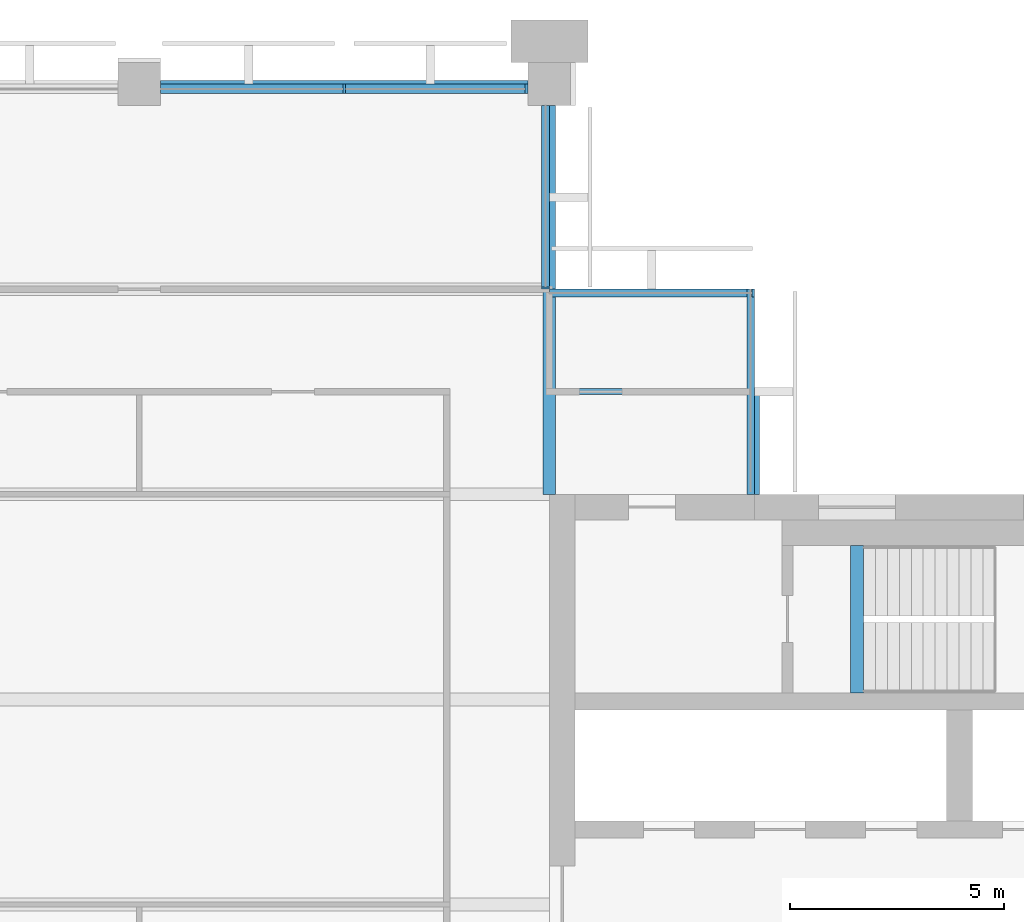
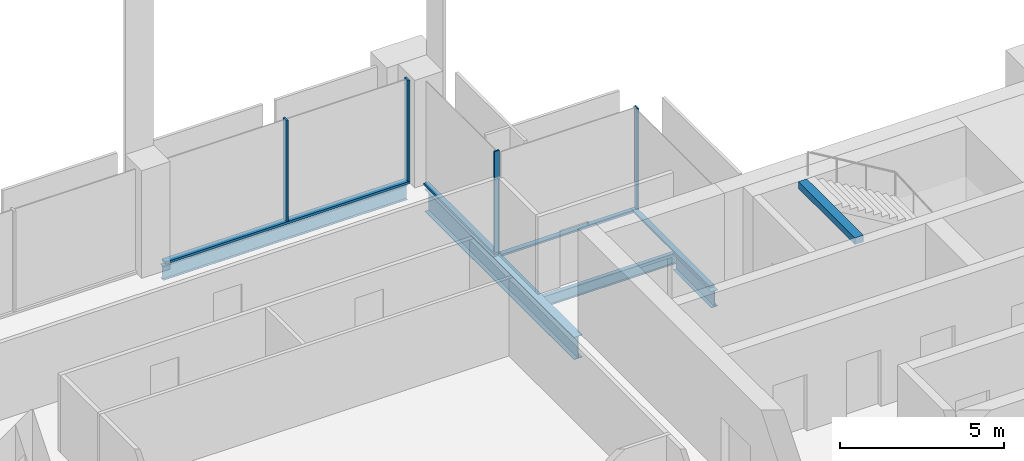
# One storey, part 6 of 13: 8 members, 5 beams, 4 elements without a shape of their own.
"""IFC4 building model written with IfcOpenShell, lengths in metres."""

from ifc_helpers import new_model, si_unit, direction, frame, origin, origin_2d, place, context, subcontext, project, spatial, rectangle, i_section, extrude, material, material_profile, profile_set, type_object, element, aggregate, save


model = new_model("IFC4")

# Units and contexts
model_context = context("Model", 3, precision=1e-05, world=origin(), true_north=direction((0.0, 1.0)))
body_context = subcontext(model_context, "Body", "Model", "MODEL_VIEW")
ifc_project = project(units=[si_unit("LENGTHUNIT", "METRE"), si_unit("AREAUNIT", "SQUARE_METRE"), si_unit("VOLUMEUNIT", "CUBIC_METRE"), si_unit("PLANEANGLEUNIT", "RADIAN"), si_unit("MASSUNIT", "GRAM", prefix="KILO")], contexts=[model_context])

# Site, building, storey
site_placement = place(None, origin())
site = spatial("IfcSite", under=ifc_project, at=site_placement, CompositionType="ELEMENT")
building_placement = place(site_placement, origin())
building = spatial("IfcBuilding", under=site, at=building_placement, Name="Baori Bourse Tower", CompositionType="ELEMENT")
storey_placement = place(building_placement, frame((0.0, 0.0, 294.300048828125)))
storey = spatial("IfcBuildingStorey", under=building, at=storey_placement, Name="L64", CompositionType="ELEMENT", Elevation=294.300048828125)

# Curtain wall, member
ifc_material_1 = material(Name="Pale anodised aluminium", Category="aluminium")
curtain_wall_type_1 = type_object("IfcCurtainWallType", Name="CW2 Curtain wall", PredefinedType="NOTDEFINED", material=ifc_material_1)
curtain_wall_1_placement = place(storey_placement, origin())
curtain_wall_1 = element("IfcCurtainWall", 1, at=curtain_wall_1_placement, inside=storey, type_object=curtain_wall_type_1, Name="Curtain wall CW2 L64 2", PredefinedType="NOTDEFINED")
ifc_material_2 = material(Name="Pale anodised aluminium", Category="aluminium")
ifc_material_profile_1 = material_profile(ifc_material_2, rectangle(XDim=0.179931640625, YDim=0.054931640625, at=origin_2d()), Name="Mullion 55x180")
ifc_profile_set_1 = profile_set([ifc_material_profile_1], Name="Pale anodised aluminium")
member_type_1 = type_object("IfcMemberType", Name="CW2 Curtain wall mullion", PredefinedType="MULLION", material=ifc_profile_set_1)
member_1_placement = place(storey_placement, frame((43.172607421875, 43.110107421875, 0.070068359375), z_axis=(0.0, 0.0, 1.0), x_axis=(0.0, -1.0, 0.0)))
member_1 = element("IfcMember", 2, at=member_1_placement, type_object=member_type_1, Name="Curtain wall CW2 mullion", PredefinedType="MULLION", context=body_context, shape_type="SweptSolid", body=[
    extrude(rectangle(XDim=0.179931640625, YDim=0.054931640625, at=origin_2d()), origin(), (0.0, 0.0, 1.0), 3.769775390625),
])

curtain_wall_2_placement = place(storey_placement, origin())
curtain_wall_2 = element("IfcCurtainWall", 3, at=curtain_wall_2_placement, inside=storey, type_object=curtain_wall_type_1, Name="Curtain wall CW2 L64 3", PredefinedType="NOTDEFINED")
member_2_placement = place(storey_placement, frame((38.31005859375, 43.2275390625, 0.070068359375), z_axis=(0.0, 0.0, 1.0), x_axis=(-1.0, 0.0, 0.0)))
member_2 = element("IfcMember", 4, at=member_2_placement, type_object=member_type_1, Name="Curtain wall CW2 mullion", PredefinedType="MULLION", context=body_context, shape_type="SweptSolid", body=[
    extrude(rectangle(XDim=0.179931640625, YDim=0.054931640625, at=origin_2d()), origin(), (0.0, 0.0, 1.0), 3.769775390625),
])

curtain_wall_3_placement = place(storey_placement, origin())
curtain_wall_3 = element("IfcCurtainWall", 5, at=curtain_wall_3_placement, inside=storey, type_object=curtain_wall_type_1, Name="Curtain wall CW2 L64 1", PredefinedType="NOTDEFINED")
ifc_material_3 = material(Name="Pale anodised aluminium", Category="aluminium")
ifc_material_profile_2 = material_profile(ifc_material_3, rectangle(XDim=0.179931640625, YDim=0.070068359375, at=origin_2d()), Name="Transom 70x180")
ifc_profile_set_2 = profile_set([ifc_material_profile_2], Name="Pale anodised aluminium")
member_type_2 = type_object("IfcMemberType", Name="CW2 Curtain wall transom", PredefinedType="USERDEFINED", material=ifc_profile_set_2)
member_3_placement = place(storey_placement, frame((43.110107421875, 38.39990234375, 0.034912109375), z_axis=(0.0, 1.0, 0.0), x_axis=(-1.0, 0.0, 0.0)))
member_3 = element("IfcMember", 6, at=member_3_placement, type_object=member_type_2, Name="Curtain wall CW2 sill rail", ObjectType="TRANSOM", PredefinedType="USERDEFINED", context=body_context, shape_type="SweptSolid", body=[
    extrude(rectangle(XDim=0.179931640625, YDim=0.070068359375, at=origin_2d()), origin(), (0.0, 0.0, 1.0), 4.800048828125),
])
aggregate(curtain_wall_3, [member_3])

# Member
member_4_placement = place(storey_placement, frame((43.199951171875, 43.110107421875, 0.034912109375), z_axis=(-1.0, 0.0, 0.0), x_axis=(0.0, -1.0, 0.0)))
member_4 = element("IfcMember", 7, at=member_4_placement, type_object=member_type_2, Name="Curtain wall CW2 sill rail", ObjectType="TRANSOM", PredefinedType="USERDEFINED", context=body_context, shape_type="SweptSolid", body=[
    extrude(rectangle(XDim=0.179931640625, YDim=0.070068359375, at=origin_2d()), origin(), (0.0, 0.0, 1.0), 4.800048828125),
])

aggregate(curtain_wall_1, [member_4, member_1])

member_5_placement = place(storey_placement, frame((38.31005859375, 43.199951171875, 0.034912109375), z_axis=(0.0, 1.0, 0.0), x_axis=(-1.0, 0.0, 0.0)))
member_5 = element("IfcMember", 8, at=member_5_placement, type_object=member_type_2, Name="Curtain wall CW2 sill rail", ObjectType="TRANSOM", PredefinedType="USERDEFINED", context=body_context, shape_type="SweptSolid", body=[
    extrude(rectangle(XDim=0.179931640625, YDim=0.070068359375, at=origin_2d()), origin(), (0.0, 0.0, 1.0), 4.300048828125),
])

aggregate(curtain_wall_2, [member_5, member_2])

# Curtain wall, members
ifc_material_4 = material(Name="Pale anodised aluminium", Category="aluminium")
curtain_wall_type_2 = type_object("IfcCurtainWallType", Name="CW5 Curtain wall", PredefinedType="NOTDEFINED", material=ifc_material_4)
curtain_wall_4_placement = place(storey_placement, origin())
curtain_wall_4 = element("IfcCurtainWall", 9, at=curtain_wall_4_placement, inside=storey, type_object=curtain_wall_type_2, Name="Curtain wall CW5 L64 4", PredefinedType="NOTDEFINED")
ifc_material_5 = material(Name="Pale anodised aluminium", Category="aluminium")
ifc_material_profile_3 = material_profile(ifc_material_5, rectangle(XDim=0.219970703125, YDim=0.06494140625, at=origin_2d()), Name="Mullion 65x220")
ifc_profile_set_3 = profile_set([ifc_material_profile_3], Name="Pale anodised aluminium")
member_type_3 = type_object("IfcMemberType", Name="CW5 Curtain wall mullion", PredefinedType="MULLION", material=ifc_profile_set_3)
member_6_placement = place(storey_placement, frame((37.867431640625, 47.889892578125, 0.0849609375), z_axis=(0.0, 0.0, 1.0), x_axis=(0.0, -1.0, 0.0)))
member_6 = element("IfcMember", 10, at=member_6_placement, type_object=member_type_3, Name="Curtain wall CW5 mullion", PredefinedType="MULLION", context=body_context, shape_type="SweptSolid", body=[
    extrude(rectangle(XDim=0.219970703125, YDim=0.06494140625, at=origin_2d()), origin(), (0.0, 0.0, 1.0), 3.7548828125),
])
member_7_placement = place(storey_placement, frame((33.60009765625, 47.889892578125, 0.0849609375), z_axis=(0.0, 0.0, 1.0), x_axis=(0.0, -1.0, 0.0)))
member_7 = element("IfcMember", 11, at=member_7_placement, type_object=member_type_3, Name="Curtain wall CW5 mullion", PredefinedType="MULLION", context=body_context, shape_type="SweptSolid", body=[
    extrude(rectangle(XDim=0.219970703125, YDim=0.06494140625, at=origin_2d()), origin(), (0.0, 0.0, 1.0), 3.7548828125),
])
ifc_material_6 = material(Name="Pale anodised aluminium", Category="aluminium")
ifc_material_profile_4 = material_profile(ifc_material_6, rectangle(XDim=0.219970703125, YDim=0.0849609375, at=origin_2d()), Name="Transom 85x220")
ifc_profile_set_4 = profile_set([ifc_material_profile_4], Name="Pale anodised aluminium")
member_type_4 = type_object("IfcMemberType", Name="CW5 Curtain wall transom", PredefinedType="USERDEFINED", material=ifc_profile_set_4)
member_8_placement = place(storey_placement, frame((37.89990234375, 47.889892578125, 0.04248046875), z_axis=(-1.0, 0.0, 0.0), x_axis=(0.0, -1.0, 0.0)))
member_8 = element("IfcMember", 12, at=member_8_placement, type_object=member_type_4, Name="Curtain wall CW5 sill rail", ObjectType="TRANSOM", PredefinedType="USERDEFINED", context=body_context, shape_type="SweptSolid", body=[
    extrude(rectangle(XDim=0.219970703125, YDim=0.0849609375, at=origin_2d()), origin(), (0.0, 0.0, 1.0), 8.599853515625),
])
aggregate(curtain_wall_4, [member_8, member_6, member_7])

# Beams
ifc_material_7 = material(Name="Steel A992 Gr 50", Category="steel")
ifc_material_profile_5 = material_profile(ifc_material_7, i_section(OverallWidth=0.227783203125, OverallDepth=0.60205078125, WebThickness=0.010498046875, FlangeThickness=0.014892578125, at=origin_2d()), Name="W24x68")
ifc_profile_set_5 = profile_set([ifc_material_profile_5], Name="Steel A992 Gr 50")
beam_type_1 = type_object("IfcBeamType", Name="Core bracket W24x68", PredefinedType="BEAM", material=ifc_profile_set_5)
beam_1_placement = place(storey_placement, frame((43.199951171875, 38.39990234375, -0.4609375), z_axis=(0.0, 1.0, 0.0), x_axis=(-1.0, 0.0, 0.0)))
element("IfcBeam", 13, at=beam_1_placement, inside=storey, type_object=beam_type_1, Name="Core bracket L64", PredefinedType="BEAM", context=body_context, shape_type="SweptSolid", body=[
    extrude(i_section(OverallWidth=0.227783203125, OverallDepth=0.60205078125, WebThickness=0.010498046875, FlangeThickness=0.014892578125, at=origin_2d()), origin(), (0.0, 0.0, 1.0), 2.329833984375),
])
ifc_material_8 = material(Name="Steel A992 Gr 50", Category="steel")
ifc_material_profile_6 = material_profile(ifc_material_8, i_section(OverallWidth=0.1650390625, OverallDepth=0.52587890625, WebThickness=0.0087890625, FlangeThickness=0.011474609375, at=origin_2d()), Name="W21x44")
ifc_profile_set_6 = profile_set([ifc_material_profile_6], Name="Steel A992 Gr 50")
beam_type_2 = type_object("IfcBeamType", Name="Edge beam W21x44", PredefinedType="BEAM", material=ifc_profile_set_6)
beam_2_placement = place(storey_placement, frame((29.300048828125, 48.0, -0.4228515625), z_axis=(1.0, 0.0, 0.0), x_axis=(0.0, 1.0, 0.0)))
element("IfcBeam", 14, at=beam_2_placement, inside=storey, type_object=beam_type_2, Name="Edge beam L64", PredefinedType="BEAM", context=body_context, shape_type="SweptSolid", body=[
    extrude(i_section(OverallWidth=0.1650390625, OverallDepth=0.52587890625, WebThickness=0.0087890625, FlangeThickness=0.011474609375, at=origin_2d()), origin(), (0.0, 0.0, 1.0), 8.599853515625),
])
ifc_material_9 = material(Name="Steel A992 Gr 50", Category="steel")
ifc_material_profile_7 = material_profile(ifc_material_9, i_section(OverallWidth=0.2919921875, OverallDepth=0.835693359375, WebThickness=0.013916015625, FlangeThickness=0.018798828125, at=origin_2d()), Name="W33x118")
ifc_profile_set_7 = profile_set([ifc_material_profile_7], Name="Steel A992 Gr 50")
beam_type_3 = type_object("IfcBeamType", Name="Girder W33x118", PredefinedType="BEAM", material=ifc_profile_set_7)
beam_3_placement = place(storey_placement, frame((38.39990234375, 38.39990234375, -0.577880859375), z_axis=(0.0, 1.0, 0.0), x_axis=(-1.0, 0.0, 0.0)))
element("IfcBeam", 15, at=beam_3_placement, inside=storey, type_object=beam_type_3, Name="Girder L64", PredefinedType="BEAM", context=body_context, shape_type="SweptSolid", body=[
    extrude(i_section(OverallWidth=0.2919921875, OverallDepth=0.835693359375, WebThickness=0.013916015625, FlangeThickness=0.018798828125, at=origin_2d()), origin(), (0.0, 0.0, 1.0), 9.10009765625),
])
ifc_material_10 = material(Name="Concrete f'c 50 MPa", Category="concrete")
ifc_material_profile_8 = material_profile(ifc_material_10, rectangle(XDim=0.300048828125, YDim=0.25, at=origin_2d()), Name="RC 300x250")
ifc_profile_set_8 = profile_set([ifc_material_profile_8], Name="Concrete f'c 50 MPa")
beam_type_4 = type_object("IfcBeamType", Name="Stair nib beam RC 300x250", PredefinedType="BEAM", material=ifc_profile_set_8)
beam_4_placement = place(storey_placement, frame((45.60009765625, 33.75, 3.71484375), z_axis=(0.0, 1.0, 0.0), x_axis=(-1.0, 0.0, 0.0)))
element("IfcBeam", 16, at=beam_4_placement, inside=storey, type_object=beam_type_4, Name="Stair EB nib beam L65", PredefinedType="BEAM", context=body_context, shape_type="SweptSolid", body=[
    extrude(rectangle(XDim=0.300048828125, YDim=0.25, at=origin_2d()), origin(), (0.0, 0.0, 1.0), 3.449951171875),
])
ifc_material_11 = material(Name="Steel A992 Gr 50", Category="steel")
ifc_material_profile_9 = material_profile(ifc_material_11, i_section(OverallWidth=0.140380859375, OverallDepth=0.40380859375, WebThickness=0.007080078125, FlangeThickness=0.01123046875, at=origin_2d()), Name="W16x31")
ifc_profile_set_9 = profile_set([ifc_material_profile_9], Name="Steel A992 Gr 50")
beam_type_5 = type_object("IfcBeamType", Name="Trimmer beam W16x31", PredefinedType="BEAM", material=ifc_profile_set_9)
beam_5_placement = place(storey_placement, frame((38.546142578125, 40.800048828125, -0.362060546875), z_axis=(1.0, 0.0, 0.0), x_axis=(0.0, 1.0, 0.0)))
element("IfcBeam", 17, at=beam_5_placement, inside=storey, type_object=beam_type_5, Name="Trimmer beam L64", PredefinedType="BEAM", context=body_context, shape_type="SweptSolid", body=[
    extrude(i_section(OverallWidth=0.140380859375, OverallDepth=0.40380859375, WebThickness=0.007080078125, FlangeThickness=0.01123046875, at=origin_2d()), origin(), (0.0, 0.0, 1.0), 4.65380859375),
])

save(model, "model.ifc")
